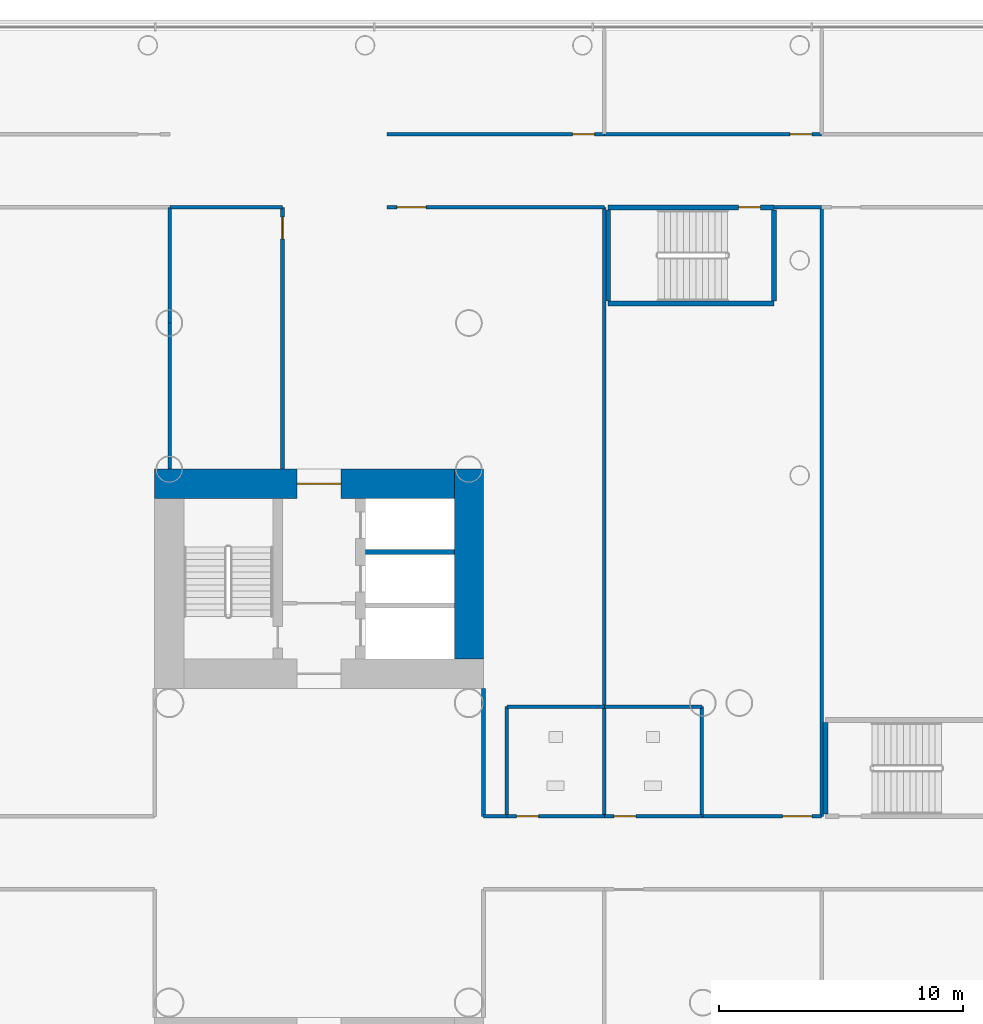
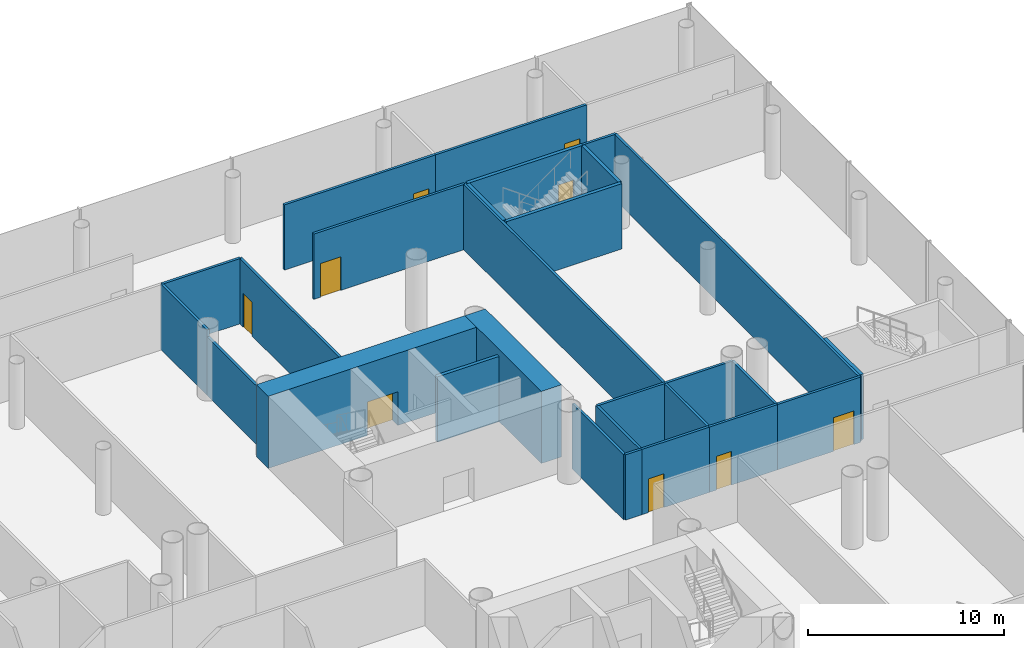
# One storey, part 23 of 49: 28 walls, 9 doors, 9 openings.
"""IFC4 building model written with IfcOpenShell, lengths in metres."""

from ifc_helpers import new_model, si_unit, direction, frame, frame_2d, origin, place, context, subcontext, project, spatial, rectangle, extrude, material, layer, layer_set, type_object, element, fill, save


model = new_model("IFC4")

# Units and contexts
model_context = context("Model", 3, precision=1e-05, world=origin(), true_north=direction((0.0, 1.0)))
body_context = subcontext(model_context, "Body", "Model", "MODEL_VIEW")
ifc_project = project(units=[si_unit("LENGTHUNIT", "METRE"), si_unit("AREAUNIT", "SQUARE_METRE"), si_unit("VOLUMEUNIT", "CUBIC_METRE"), si_unit("PLANEANGLEUNIT", "RADIAN"), si_unit("MASSUNIT", "GRAM", prefix="KILO")], contexts=[model_context])

# Site, building, storey
site_placement = place(None, origin())
site = spatial("IfcSite", under=ifc_project, at=site_placement, CompositionType="ELEMENT")
building_placement = place(site_placement, origin())
building = spatial("IfcBuilding", under=site, at=building_placement, Name="Ipe Terrace Towers", CompositionType="ELEMENT")
storey_placement = place(building_placement, frame((0.0, 0.0, 20.0)))
storey = spatial("IfcBuildingStorey", under=building, at=storey_placement, Name="L04", CompositionType="ELEMENT", Elevation=20.0)

# Walls
ifc_material_1 = material(Name="Gypsum board partition", Category="plasterboard")
ifc_layer_1 = layer(ifc_material_1, 0.14990234375)
ifc_layer_set_1 = layer_set([ifc_layer_1], Name="Gypsum board partition 150 mm")
wall_type_1 = type_object("IfcWallType", Name="Gypsum board partition 150 mm", PredefinedType="PARTITIONING", material=ifc_layer_set_1)
wall_1_placement = place(storey_placement, frame((29.8701171875, 26.5, 0.0), z_axis=(0.0, 0.0, 1.0), x_axis=(0.0, -1.0, 0.0)))
element("IfcWall", 1, at=wall_1_placement, inside=storey, type_object=wall_type_1, Name="Gypsum board partition T2 L04 pd-r41-r45-w37", PredefinedType="PARTITIONING", context=body_context, shape_type="SweptSolid", body=[
    extrude(rectangle(XDim=4.75, YDim=0.14990234375, at=frame_2d((2.375, 0.0))), origin(), (0.0, 0.0, 1.0), 4.074951171875),
])
wall_2_placement = place(storey_placement, frame((29.8701171875, 21.75, 0.0), z_axis=(0.0, 0.0, 1.0), x_axis=(0.0, -1.0, 0.0)))
element("IfcWall", 2, at=wall_2_placement, inside=storey, type_object=wall_type_1, Name="Gypsum board partition T2 L04 pd-r41-r45-w37-2", PredefinedType="PARTITIONING", context=body_context, shape_type="SweptSolid", body=[
    extrude(rectangle(XDim=6.0, YDim=0.14990234375, at=frame_2d((3.0, 0.0))), origin(), (0.0, 0.0, 1.0), 3.64990234375),
])

# Wall, opening, door
wall_3_placement = place(storey_placement, frame((34.5, 26.5, 0.0), z_axis=(0.0, 0.0, 1.0), x_axis=(0.0, -1.0, 0.0)))
wall_3 = element("IfcWall", 3, at=wall_3_placement, inside=storey, type_object=wall_type_1, Name="Gypsum board partition T2 L04 pd-r45-w42", PredefinedType="PARTITIONING", context=body_context, shape_type="SweptSolid", body=[
    extrude(rectangle(XDim=10.75, YDim=0.14990234375, at=frame_2d((5.375, 0.0))), origin(), (0.0, 0.0, 1.0), 4.074951171875),
])
opening_1_placement = place(wall_3_placement, frame((0.39990234375, 0.0, 0.0)))
opening_1 = element("IfcOpeningElement", 4, at=opening_1_placement, cuts=wall_3, Name="Opening PD-L04-r45", PredefinedType="OPENING", context=body_context, shape_type="SweptSolid", body=[
    extrude(rectangle(XDim=0.89990234375, YDim=2.10009765625, at=frame_2d((0.449951171875, 1.050048828125))), frame((0.0, 0.0849609375, 0.0), z_axis=(0.0, -1.0, 0.0), x_axis=(1.0, 0.0, 0.0)), (0.0, 0.0, 1.0), 0.169921875),
])
ifc_material_2 = material(Name="Fire-rated timber door leaf", Category="wood")
door_type_1 = type_object("IfcDoorType", Name="Lounge door 900 x 2100 FD30S", OperationType="NOTDEFINED", PredefinedType="DOOR", material=ifc_material_2)
door_1_placement = place(opening_1_placement, origin())
door_1 = element("IfcDoor", 5, at=door_1_placement, inside=storey, type_object=door_type_1, Name="Lounge door PD-L04-r45", OperationType="SINGLE_SWING_RIGHT", OverallHeight=2.10009765625, OverallWidth=0.89990234375, PredefinedType="DOOR", context=body_context, shape_type="SweptSolid", body=[
    extrude(rectangle(XDim=0.89990234375, YDim=2.10009765625, at=frame_2d((0.449951171875, 1.050048828125))), frame((0.0, 0.02490234375, 0.0), z_axis=(0.0, -1.0, 0.0), x_axis=(1.0, 0.0, 0.0)), (0.0, 0.0, 1.0), 0.050048828125),
])
fill(opening_1, door_1)

# Wall
wall_4_placement = place(storey_placement, frame((29.8701171875, 26.5, 0.0), z_axis=(0.0, 0.0, 1.0), x_axis=(1.0, 0.0, 0.0)))
element("IfcWall", 6, at=wall_4_placement, inside=storey, type_object=wall_type_1, Name="Gypsum board partition T2 L04 pd-r45-w43", PredefinedType="PARTITIONING", context=body_context, shape_type="SweptSolid", body=[
    extrude(rectangle(XDim=4.6298828125, YDim=0.14990234375, at=frame_2d((2.31494140625, 0.0))), origin(), (0.0, 0.0, 1.0), 4.074951171875),
])

# Wall, opening, door
wall_5_placement = place(storey_placement, frame((47.7099609375, 29.5, 0.0), z_axis=(0.0, 0.0, 1.0), x_axis=(-1.0, 0.0, 0.0)))
wall_5 = element("IfcWall", 7, at=wall_5_placement, inside=storey, type_object=wall_type_1, Name="Gypsum board partition T2 L04 pd-r47-w46", PredefinedType="PARTITIONING", context=body_context, shape_type="SweptSolid", body=[
    extrude(rectangle(XDim=8.919921875, YDim=0.14990234375, at=frame_2d((4.4599609375, 0.0))), origin(), (0.0, 0.0, 1.0), 4.074951171875),
])
opening_2_placement = place(wall_5_placement, frame((0.39990234375, 0.0, 0.0)))
opening_2 = element("IfcOpeningElement", 8, at=opening_2_placement, cuts=wall_5, Name="Opening PD-L04-r47", PredefinedType="OPENING", context=body_context, shape_type="SweptSolid", body=[
    extrude(rectangle(XDim=0.89990234375, YDim=2.10009765625, at=frame_2d((0.449951171875, 1.050048828125))), frame((0.0, 0.0849609375, 0.0), z_axis=(0.0, -1.0, 0.0), x_axis=(1.0, 0.0, 0.0)), (0.0, 0.0, 1.0), 0.169921875),
])
door_2_placement = place(opening_2_placement, origin())
door_2 = element("IfcDoor", 9, at=door_2_placement, inside=storey, type_object=door_type_1, Name="Lounge door PD-L04-r47", OperationType="SINGLE_SWING_RIGHT", OverallHeight=2.10009765625, OverallWidth=0.89990234375, PredefinedType="DOOR", context=body_context, shape_type="SweptSolid", body=[
    extrude(rectangle(XDim=0.89990234375, YDim=2.10009765625, at=frame_2d((0.449951171875, 1.050048828125))), frame((0.0, 0.02490234375, 0.0), z_axis=(0.0, -1.0, 0.0), x_axis=(1.0, 0.0, 0.0)), (0.0, 0.0, 1.0), 0.050048828125),
])
fill(opening_2, door_2)

# Walls
wall_6_placement = place(storey_placement, frame((43.7099609375, 1.5, 0.0), z_axis=(0.0, 0.0, 1.0), x_axis=(-1.0, 0.0, 0.0)))
element("IfcWall", 10, at=wall_6_placement, inside=storey, type_object=wall_type_1, Name="Gypsum board partition T2 L04 pd-r48-w48", PredefinedType="PARTITIONING", context=body_context, shape_type="SweptSolid", body=[
    extrude(rectangle(XDim=0.9599609375, YDim=0.14990234375, at=frame_2d((0.47998046875, 0.0))), origin(), (0.0, 0.0, 1.0), 4.074951171875),
])
wall_7_placement = place(storey_placement, frame((42.75, 1.5, 0.0), z_axis=(0.0, 0.0, 1.0), x_axis=(0.0, 1.0, 0.0)))
element("IfcWall", 11, at=wall_7_placement, inside=storey, type_object=wall_type_1, Name="Gypsum board partition T2 L04 pd-r48-w49", PredefinedType="PARTITIONING", context=body_context, shape_type="SweptSolid", body=[
    extrude(rectangle(XDim=5.25, YDim=0.14990234375, at=frame_2d((2.625, 0.0))), origin(), (0.0, 0.0, 1.0), 4.074951171875),
])

# Wall, opening, door
wall_8_placement = place(storey_placement, frame((38.7900390625, 26.5, 0.0), z_axis=(0.0, 0.0, 1.0), x_axis=(1.0, 0.0, 0.0)))
wall_8 = element("IfcWall", 12, at=wall_8_placement, inside=storey, type_object=wall_type_1, Name="Gypsum board partition T2 L04 pd-r48-w50", PredefinedType="PARTITIONING", context=body_context, shape_type="SweptSolid", body=[
    extrude(rectangle(XDim=8.919921875, YDim=0.14990234375, at=frame_2d((4.4599609375, 0.0))), origin(), (0.0, 0.0, 1.0), 4.074951171875),
])
opening_3_placement = place(wall_8_placement, frame((0.39990234375, 0.0, 0.0)))
opening_3 = element("IfcOpeningElement", 13, at=opening_3_placement, cuts=wall_8, Name="Opening PD-L04-r48", PredefinedType="OPENING", context=body_context, shape_type="SweptSolid", body=[
    extrude(rectangle(XDim=1.199951171875, YDim=2.10009765625, at=frame_2d((0.60009765625, 1.050048828125))), frame((0.0, 0.0849609375, 0.0), z_axis=(0.0, -1.0, 0.0), x_axis=(1.0, 0.0, 0.0)), (0.0, 0.0, 1.0), 0.169921875),
])
ifc_material_3 = material(Name="Fire-rated timber door leaf", Category="wood")
door_type_2 = type_object("IfcDoorType", Name="Lounge door 1200 x 2100 FD30S", OperationType="NOTDEFINED", PredefinedType="DOOR", material=ifc_material_3)
door_3_placement = place(opening_3_placement, origin())
door_3 = element("IfcDoor", 14, at=door_3_placement, inside=storey, type_object=door_type_2, Name="Lounge door PD-L04-r48", OperationType="SINGLE_SWING_RIGHT", OverallHeight=2.10009765625, OverallWidth=1.199951171875, PredefinedType="DOOR", context=body_context, shape_type="SweptSolid", body=[
    extrude(rectangle(XDim=1.199951171875, YDim=2.10009765625, at=frame_2d((0.60009765625, 1.050048828125))), frame((0.0, 0.02490234375, 0.0), z_axis=(0.0, -1.0, 0.0), x_axis=(1.0, 0.0, 0.0)), (0.0, 0.0, 1.0), 0.050048828125),
])
fill(opening_3, door_3)

# Wall
wall_9_placement = place(storey_placement, frame((47.7099609375, 26.5, 0.0), z_axis=(0.0, 0.0, 1.0), x_axis=(0.0, -1.0, 0.0)))
element("IfcWall", 15, at=wall_9_placement, inside=storey, type_object=wall_type_1, Name="Gypsum board partition T2 L04 pd-r48-r53-w51", PredefinedType="PARTITIONING", context=body_context, shape_type="SweptSolid", body=[
    extrude(rectangle(XDim=20.5, YDim=0.14990234375, at=frame_2d((10.25, 0.0))), origin(), (0.0, 0.0, 1.0), 4.074951171875),
])

# Wall, opening, door
wall_10_placement = place(storey_placement, frame((56.6298828125, 29.5, 0.0), z_axis=(0.0, 0.0, 1.0), x_axis=(-1.0, 0.0, 0.0)))
wall_10 = element("IfcWall", 16, at=wall_10_placement, inside=storey, type_object=wall_type_1, Name="Gypsum board partition T2 L04 pd-r51-w58", PredefinedType="PARTITIONING", context=body_context, shape_type="SweptSolid", body=[
    extrude(rectangle(XDim=8.919921875, YDim=0.14990234375, at=frame_2d((4.4599609375, 0.0))), origin(), (0.0, 0.0, 1.0), 4.074951171875),
])
opening_4_placement = place(wall_10_placement, frame((0.39990234375, 0.0, 0.0)))
opening_4 = element("IfcOpeningElement", 17, at=opening_4_placement, cuts=wall_10, Name="Opening PD-L04-r51", PredefinedType="OPENING", context=body_context, shape_type="SweptSolid", body=[
    extrude(rectangle(XDim=0.89990234375, YDim=2.10009765625, at=frame_2d((0.449951171875, 1.050048828125))), frame((0.0, 0.0849609375, 0.0), z_axis=(0.0, -1.0, 0.0), x_axis=(1.0, 0.0, 0.0)), (0.0, 0.0, 1.0), 0.169921875),
])
door_4_placement = place(opening_4_placement, origin())
door_4 = element("IfcDoor", 18, at=door_4_placement, inside=storey, type_object=door_type_1, Name="Lounge door PD-L04-r51", OperationType="SINGLE_SWING_RIGHT", OverallHeight=2.10009765625, OverallWidth=0.89990234375, PredefinedType="DOOR", context=body_context, shape_type="SweptSolid", body=[
    extrude(rectangle(XDim=0.89990234375, YDim=2.10009765625, at=frame_2d((0.449951171875, 1.050048828125))), frame((0.0, 0.02490234375, 0.0), z_axis=(0.0, -1.0, 0.0), x_axis=(1.0, 0.0, 0.0)), (0.0, 0.0, 1.0), 0.050048828125),
])
fill(opening_4, door_4)

# Wall
wall_11_placement = place(storey_placement, frame((54.669921875, 26.5, 0.0), z_axis=(0.0, 0.0, 1.0), x_axis=(1.0, 0.0, 0.0)))
element("IfcWall", 19, at=wall_11_placement, inside=storey, type_object=wall_type_1, Name="Gypsum board partition T2 L04 pd-r53-w63", PredefinedType="PARTITIONING", context=body_context, shape_type="SweptSolid", body=[
    extrude(rectangle(XDim=1.9599609375, YDim=0.14990234375, at=frame_2d((0.97998046875, 0.0))), origin(), (0.0, 0.0, 1.0), 4.074951171875),
])

# Wall, opening, door
wall_12_placement = place(storey_placement, frame((56.6298828125, 1.5, 0.0), z_axis=(0.0, 0.0, 1.0), x_axis=(-1.0, 0.0, 0.0)))
wall_12 = element("IfcWall", 20, at=wall_12_placement, inside=storey, type_object=wall_type_1, Name="Gypsum board partition T2 L04 pd-r53-w64", PredefinedType="PARTITIONING", context=body_context, shape_type="SweptSolid", body=[
    extrude(rectangle(XDim=4.919921875, YDim=0.14990234375, at=frame_2d((2.4599609375, 0.0))), origin(), (0.0, 0.0, 1.0), 4.074951171875),
])
opening_5_placement = place(wall_12_placement, frame((0.39990234375, 0.0, 0.0)))
opening_5 = element("IfcOpeningElement", 21, at=opening_5_placement, cuts=wall_12, Name="Opening PD-L04-r53", PredefinedType="OPENING", context=body_context, shape_type="SweptSolid", body=[
    extrude(rectangle(XDim=1.199951171875, YDim=2.10009765625, at=frame_2d((0.60009765625, 1.050048828125))), frame((0.0, 0.0849609375, 0.0), z_axis=(0.0, -1.0, 0.0), x_axis=(1.0, 0.0, 0.0)), (0.0, 0.0, 1.0), 0.169921875),
])
door_5_placement = place(opening_5_placement, origin())
door_5 = element("IfcDoor", 22, at=door_5_placement, inside=storey, type_object=door_type_2, Name="Lounge door PD-L04-r53", OperationType="SINGLE_SWING_RIGHT", OverallHeight=2.10009765625, OverallWidth=1.199951171875, PredefinedType="DOOR", context=body_context, shape_type="SweptSolid", body=[
    extrude(rectangle(XDim=1.199951171875, YDim=2.10009765625, at=frame_2d((0.60009765625, 1.050048828125))), frame((0.0, 0.02490234375, 0.0), z_axis=(0.0, -1.0, 0.0), x_axis=(1.0, 0.0, 0.0)), (0.0, 0.0, 1.0), 0.050048828125),
])
fill(opening_5, door_5)

# Wall
wall_13_placement = place(storey_placement, frame((56.6298828125, 26.5, 0.0), z_axis=(0.0, 0.0, 1.0), x_axis=(0.0, -1.0, 0.0)))
element("IfcWall", 23, at=wall_13_placement, inside=storey, type_object=wall_type_1, Name="Gypsum board partition T2 L04 pd-r53-r57-w65", PredefinedType="PARTITIONING", context=body_context, shape_type="SweptSolid", body=[
    extrude(rectangle(XDim=25.0, YDim=0.14990234375, at=frame_2d((12.5, 0.0))), origin(), (0.0, 0.0, 1.0), 4.074951171875),
])

# Wall, opening, door
wall_14_placement = place(storey_placement, frame((43.7099609375, 1.5, 0.0), z_axis=(0.0, 0.0, 1.0), x_axis=(1.0, 0.0, 0.0)))
wall_14 = element("IfcWall", 24, at=wall_14_placement, inside=storey, type_object=wall_type_1, Name="Gypsum board partition T2 L04 pd-c3-w79", PredefinedType="PARTITIONING", context=body_context, shape_type="SweptSolid", body=[
    extrude(rectangle(XDim=4.0, YDim=0.14990234375, at=frame_2d((2.0, 0.0))), origin(), (0.0, 0.0, 1.0), 4.074951171875),
])
opening_6_placement = place(wall_14_placement, frame((0.39990234375, 0.0, 0.0)))
opening_6 = element("IfcOpeningElement", 25, at=opening_6_placement, cuts=wall_14, Name="Opening PD-L04-c3", PredefinedType="OPENING", context=body_context, shape_type="SweptSolid", body=[
    extrude(rectangle(XDim=0.89990234375, YDim=2.10009765625, at=frame_2d((0.449951171875, 1.050048828125))), frame((0.0, 0.0849609375, 0.0), z_axis=(0.0, -1.0, 0.0), x_axis=(1.0, 0.0, 0.0)), (0.0, 0.0, 1.0), 0.169921875),
])
door_6_placement = place(opening_6_placement, origin())
door_6 = element("IfcDoor", 26, at=door_6_placement, inside=storey, type_object=door_type_1, Name="Lounge door PD-L04-c3", OperationType="SINGLE_SWING_LEFT", OverallHeight=2.10009765625, OverallWidth=0.89990234375, PredefinedType="DOOR", context=body_context, shape_type="SweptSolid", body=[
    extrude(rectangle(XDim=0.89990234375, YDim=2.10009765625, at=frame_2d((0.449951171875, 1.050048828125))), frame((0.0, 0.02490234375, 0.0), z_axis=(0.0, -1.0, 0.0), x_axis=(1.0, 0.0, 0.0)), (0.0, 0.0, 1.0), 0.050048828125),
])
fill(opening_6, door_6)

# Walls
wall_15_placement = place(storey_placement, frame((47.7099609375, 6.0, 0.0), z_axis=(0.0, 0.0, 1.0), x_axis=(-1.0, 0.0, 0.0)))
element("IfcWall", 27, at=wall_15_placement, inside=storey, type_object=wall_type_1, Name="Gypsum board partition T2 L04 pd-c3-r48-w80", PredefinedType="PARTITIONING", context=body_context, shape_type="SweptSolid", body=[
    extrude(rectangle(XDim=4.0, YDim=0.14990234375, at=frame_2d((2.0, 0.0))), origin(), (0.0, 0.0, 1.0), 4.074951171875),
])
for number, where, z_axis, x_axis, name in (
    (28, (43.7099609375, 6.0, 0.0), (0.0, 0.0, 1.0), (0.0, -1.0, 0.0), "Gypsum board partition T2 L04 pd-c3-r48-w81"),
    (29, (47.7099609375, 1.5, 0.0), (0.0, 0.0, 1.0), (0.0, 1.0, 0.0), "Gypsum board partition T2 L04 pd-c3-c4-w82"),
):
    element("IfcWall", number, at=place(storey_placement, frame(where, z_axis=z_axis, x_axis=x_axis)), inside=storey, type_object=wall_type_1, Name=name, PredefinedType="PARTITIONING", context=body_context, shape_type="SweptSolid", body=[
        extrude(rectangle(XDim=4.5, YDim=0.14990234375, at=frame_2d((2.25, 0.0))), origin(), (0.0, 0.0, 1.0), 4.074951171875),
    ])

# Wall, opening, door
wall_16_placement = place(storey_placement, frame((47.7099609375, 1.5, 0.0), z_axis=(0.0, 0.0, 1.0), x_axis=(1.0, 0.0, 0.0)))
wall_16 = element("IfcWall", 30, at=wall_16_placement, inside=storey, type_object=wall_type_1, Name="Gypsum board partition T2 L04 pd-c4-w83", PredefinedType="PARTITIONING", context=body_context, shape_type="SweptSolid", body=[
    extrude(rectangle(XDim=4.0, YDim=0.14990234375, at=frame_2d((2.0, 0.0))), origin(), (0.0, 0.0, 1.0), 4.074951171875),
])
opening_7_placement = place(wall_16_placement, frame((0.39990234375, 0.0, 0.0)))
opening_7 = element("IfcOpeningElement", 31, at=opening_7_placement, cuts=wall_16, Name="Opening PD-L04-c4", PredefinedType="OPENING", context=body_context, shape_type="SweptSolid", body=[
    extrude(rectangle(XDim=0.89990234375, YDim=2.10009765625, at=frame_2d((0.449951171875, 1.050048828125))), frame((0.0, 0.0849609375, 0.0), z_axis=(0.0, -1.0, 0.0), x_axis=(1.0, 0.0, 0.0)), (0.0, 0.0, 1.0), 0.169921875),
])
door_7_placement = place(opening_7_placement, origin())
door_7 = element("IfcDoor", 32, at=door_7_placement, inside=storey, type_object=door_type_1, Name="Lounge door PD-L04-c4", OperationType="SINGLE_SWING_LEFT", OverallHeight=2.10009765625, OverallWidth=0.89990234375, PredefinedType="DOOR", context=body_context, shape_type="SweptSolid", body=[
    extrude(rectangle(XDim=0.89990234375, YDim=2.10009765625, at=frame_2d((0.449951171875, 1.050048828125))), frame((0.0, 0.02490234375, 0.0), z_axis=(0.0, -1.0, 0.0), x_axis=(1.0, 0.0, 0.0)), (0.0, 0.0, 1.0), 0.050048828125),
])
fill(opening_7, door_7)

# Walls
wall_17_placement = place(storey_placement, frame((51.7099609375, 1.5, 0.0), z_axis=(0.0, 0.0, 1.0), x_axis=(0.0, 1.0, 0.0)))
element("IfcWall", 33, at=wall_17_placement, inside=storey, type_object=wall_type_1, Name="Gypsum board partition T2 L04 pd-c4-r53-w84", PredefinedType="PARTITIONING", context=body_context, shape_type="SweptSolid", body=[
    extrude(rectangle(XDim=4.5, YDim=0.14990234375, at=frame_2d((2.25, 0.0))), origin(), (0.0, 0.0, 1.0), 4.074951171875),
])
wall_18_placement = place(storey_placement, frame((51.7099609375, 6.0, 0.0), z_axis=(0.0, 0.0, 1.0), x_axis=(-1.0, 0.0, 0.0)))
element("IfcWall", 34, at=wall_18_placement, inside=storey, type_object=wall_type_1, Name="Gypsum board partition T2 L04 pd-c4-r53-w85", PredefinedType="PARTITIONING", context=body_context, shape_type="SweptSolid", body=[
    extrude(rectangle(XDim=4.0, YDim=0.14990234375, at=frame_2d((2.0, 0.0))), origin(), (0.0, 0.0, 1.0), 4.074951171875),
])
ifc_material_4 = material(Name="Gypsum board party wall", Category="plasterboard")
ifc_layer_2 = layer(ifc_material_4, 0.199951171875)
ifc_layer_set_2 = layer_set([ifc_layer_2], Name="Gypsum board party wall 200 mm")
wall_type_2 = type_object("IfcWallType", Name="Gypsum board party wall 200 mm", PredefinedType="SOLIDWALL", material=ifc_layer_set_2)
wall_19_placement = place(storey_placement, frame((41.550048828125, 12.35009765625, 0.0), z_axis=(0.0, 0.0, 1.0), x_axis=(-1.0, 0.0, 0.0)))
element("IfcWall", 35, at=wall_19_placement, inside=storey, type_object=wall_type_2, Name="Gypsum board party wall T2 L04 t2c1-shaft-div2", PredefinedType="SOLIDWALL", context=body_context, shape_type="SweptSolid", body=[
    extrude(rectangle(XDim=3.650146484375, YDim=0.199951171875, at=frame_2d((1.8251953125, 0.0))), origin(), (0.0, 0.0, 1.0), 4.074951171875),
])
ifc_material_5 = material(Name="Concrete C60/75", Category="concrete")
ifc_layer_3 = layer(ifc_material_5, 1.199951171875)
ifc_layer_set_3 = layer_set([ifc_layer_3], Name="RW1200 CORE WALL 1200 C60-75")
wall_type_3 = type_object("IfcWallType", Name="RW1200 CORE WALL 1200 C60-75", PredefinedType="SHEAR", material=ifc_layer_set_3)
wall_20_placement = place(storey_placement, frame((42.14990234375, 7.949951171875, 0.0), z_axis=(0.0, 0.0, 1.0), x_axis=(0.0, 1.0, 0.0)))
element("IfcWall", 36, at=wall_20_placement, inside=storey, type_object=wall_type_3, Name="Core wall T2-C1-P-W02", PredefinedType="SHEAR", context=body_context, shape_type="SweptSolid", body=[
    extrude(rectangle(XDim=7.800048828125, YDim=1.199951171875, at=frame_2d((3.89990234375, 0.0))), origin(), (0.0, 0.0, 1.0), 4.5),
])

# Wall, opening, door
wall_21_placement = place(storey_placement, frame((41.550048828125, 15.14990234375, 0.0), z_axis=(0.0, 0.0, 1.0), x_axis=(-1.0, 0.0, 0.0)))
wall_21 = element("IfcWall", 37, at=wall_21_placement, inside=storey, type_object=wall_type_3, Name="Core wall T2-C1-P-W03", PredefinedType="SHEAR", context=body_context, shape_type="SweptSolid", body=[
    extrude(rectangle(XDim=12.300048828125, YDim=1.199951171875, at=frame_2d((6.14990234375, 0.0))), origin(), (0.0, 0.0, 1.0), 4.5),
])
opening_8_placement = place(wall_21_placement, frame((4.64990234375, 0.0, 0.0)))
opening_8 = element("IfcOpeningElement", 38, at=opening_8_placement, cuts=wall_21, Name="Opening T2C1-FD", PredefinedType="OPENING", context=body_context, shape_type="SweptSolid", body=[
    extrude(rectangle(XDim=1.800048828125, YDim=2.10009765625, at=frame_2d((0.89990234375, 1.050048828125))), frame((0.0, 0.60986328125, 0.0), z_axis=(0.0, -1.0, 0.0), x_axis=(1.0, 0.0, 0.0)), (0.0, 0.0, 1.0), 1.219970703125),
])
ifc_material_6 = material(Name="Fire-rated timber door leaf", Category="wood")
door_type_3 = type_object("IfcDoorType", Name="Fire door 1800 x 2100 FD30S", OperationType="NOTDEFINED", PredefinedType="DOOR", material=ifc_material_6)
door_8_placement = place(opening_8_placement, origin())
door_8 = element("IfcDoor", 39, at=door_8_placement, inside=storey, type_object=door_type_3, Name="Fire door T2C1-FD", OperationType="SINGLE_SWING_LEFT", OverallHeight=2.10009765625, OverallWidth=1.800048828125, PredefinedType="DOOR", context=body_context, shape_type="SweptSolid", body=[
    extrude(rectangle(XDim=1.800048828125, YDim=2.10009765625, at=frame_2d((0.89990234375, 1.050048828125))), frame((0.0, 0.02490234375, 0.0), z_axis=(0.0, -1.0, 0.0), x_axis=(1.0, 0.0, 0.0)), (0.0, 0.0, 1.0), 0.050048828125),
])
fill(opening_8, door_8)

ifc_material_7 = material(Name="Concrete C40/50", Category="concrete")
ifc_layer_4 = layer(ifc_material_7, 0.199951171875)
ifc_layer_set_4 = layer_set([ifc_layer_4], Name="RW200 PODIUM STAIR SHAFT WALL 200 C40-50")
wall_type_4 = type_object("IfcWallType", Name="RW200 PODIUM STAIR SHAFT WALL 200 C40-50", PredefinedType="SHEAR", material=ifc_layer_set_4)
wall_22_placement = place(storey_placement, frame((47.8701171875, 26.5, 0.0), z_axis=(0.0, 0.0, 1.0), x_axis=(1.0, 0.0, 0.0)))
wall_22 = element("IfcWall", 40, at=wall_22_placement, inside=storey, type_object=wall_type_4, Name="Stair shaft wall T2 L04 ps3-c", PredefinedType="SHEAR", context=body_context, shape_type="SweptSolid", body=[
    extrude(rectangle(XDim=6.7998046875, YDim=0.199951171875, at=frame_2d((3.39990234375, 0.0))), origin(), (0.0, 0.0, 1.0), 4.074951171875),
])
opening_9_placement = place(wall_22_placement, frame((5.35009765625, 0.0, 0.0)))
opening_9 = element("IfcOpeningElement", 41, at=opening_9_placement, cuts=wall_22, Name="Opening PS3-SD", PredefinedType="OPENING", context=body_context, shape_type="SweptSolid", body=[
    extrude(rectangle(XDim=0.89990234375, YDim=2.10009765625, at=frame_2d((0.449951171875, 1.050048828125))), frame((0.0, 0.10986328125, 0.0), z_axis=(0.0, -1.0, 0.0), x_axis=(1.0, 0.0, 0.0)), (0.0, 0.0, 1.0), 0.219970703125),
])
ifc_material_8 = material(Name="Fire-rated timber door leaf", Category="wood")
door_type_4 = type_object("IfcDoorType", Name="Stair door 900 x 2100 FD60", OperationType="NOTDEFINED", PredefinedType="DOOR", material=ifc_material_8)
door_9_placement = place(opening_9_placement, origin())
door_9 = element("IfcDoor", 42, at=door_9_placement, inside=storey, type_object=door_type_4, Name="Stair door PS3-SD", OperationType="SINGLE_SWING_LEFT", OverallHeight=2.10009765625, OverallWidth=0.89990234375, PredefinedType="DOOR", context=body_context, shape_type="SweptSolid", body=[
    extrude(rectangle(XDim=0.89990234375, YDim=2.10009765625, at=frame_2d((0.449951171875, 1.050048828125))), frame((0.0, 0.02490234375, 0.0), z_axis=(0.0, -1.0, 0.0), x_axis=(1.0, 0.0, 0.0)), (0.0, 0.0, 1.0), 0.050048828125),
])
fill(opening_9, door_9)

# Walls
wall_23_placement = place(storey_placement, frame((47.8701171875, 22.550048828125, 0.0), z_axis=(0.0, 0.0, 1.0), x_axis=(1.0, 0.0, 0.0)))
element("IfcWall", 43, at=wall_23_placement, inside=storey, type_object=wall_type_4, Name="Stair shaft wall T2 L04 ps3-f", PredefinedType="SHEAR", context=body_context, shape_type="SweptSolid", body=[
    extrude(rectangle(XDim=6.7998046875, YDim=0.199951171875, at=frame_2d((3.39990234375, 0.0))), origin(), (0.0, 0.0, 1.0), 4.074951171875),
])
for number, where, z_axis, x_axis, name in (
    (44, (47.8701171875, 22.64990234375, 0.0), (0.0, 0.0, 1.0), (0.0, 1.0, 0.0), "Stair shaft wall T2 L04 ps3-w"),
    (45, (54.669921875, 22.64990234375, 0.0), (0.0, 0.0, 1.0), (0.0, 1.0, 0.0), "Stair shaft wall T2 L04 ps3-e"),
    (46, (56.7900390625, 1.60009765625, 0.0), (0.0, 0.0, 1.0), (0.0, 1.0, 0.0), "Stair shaft wall T2 L04 ps8-w"),
):
    element("IfcWall", number, at=place(storey_placement, frame(where, z_axis=z_axis, x_axis=x_axis)), inside=storey, type_object=wall_type_4, Name=name, PredefinedType="SHEAR", context=body_context, shape_type="SweptSolid", body=[
        extrude(rectangle(XDim=3.75, YDim=0.199951171875, at=frame_2d((1.875, 0.0))), origin(), (0.0, 0.0, 1.0), 4.074951171875),
    ])

save(model, "model.ifc")
